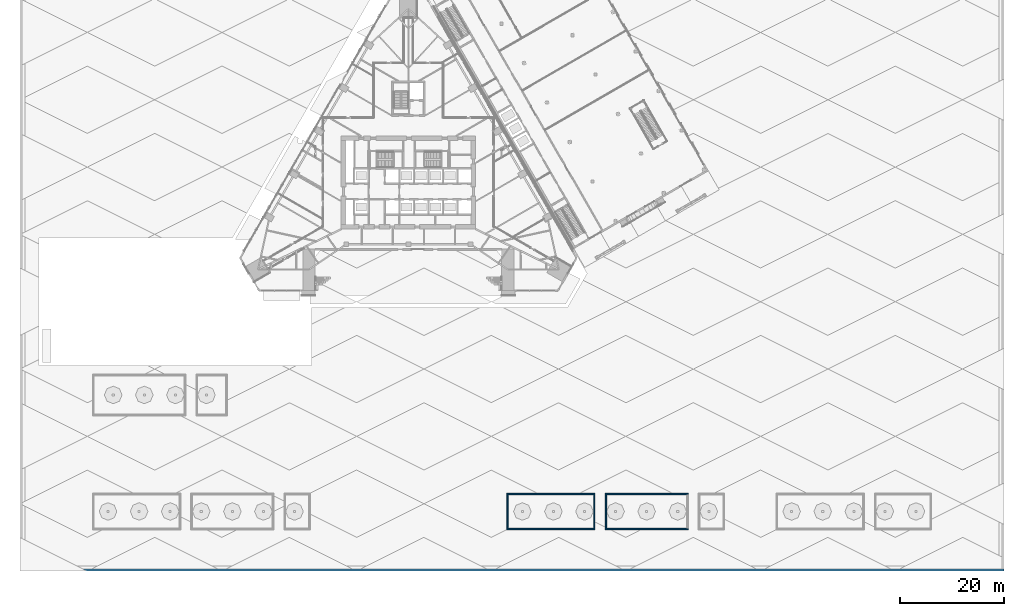
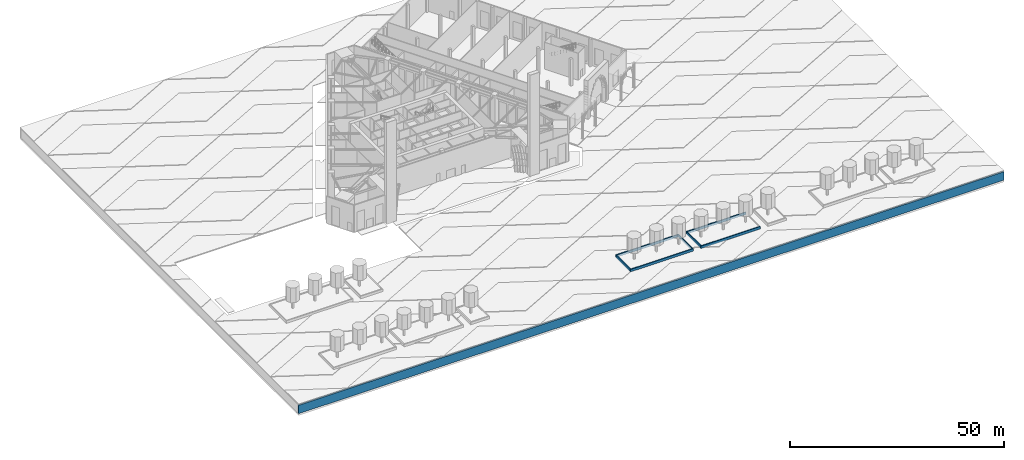
# One storey, part 9 of 34: 8 walls.
"""IFC4 building model written with IfcOpenShell, lengths in metres."""

from ifc_helpers import new_model, si_unit, direction, frame, frame_2d, origin, place, context, subcontext, project, spatial, rectangle, extrude, material, layer, layer_set, type_object, element, save


model = new_model("IFC4")

# Units and contexts
model_context = context("Model", 3, precision=1e-05, world=origin(), true_north=direction((0.0, 1.0)))
body_context = subcontext(model_context, "Body", "Model", "MODEL_VIEW")
ifc_project = project(units=[si_unit("LENGTHUNIT", "METRE"), si_unit("AREAUNIT", "SQUARE_METRE"), si_unit("VOLUMEUNIT", "CUBIC_METRE"), si_unit("PLANEANGLEUNIT", "RADIAN"), si_unit("MASSUNIT", "GRAM", prefix="KILO")], contexts=[model_context])

# Site, building, storey
site_placement = place(None, origin())
site = spatial("IfcSite", under=ifc_project, at=site_placement, CompositionType="ELEMENT")
building_placement = place(site_placement, origin())
building = spatial("IfcBuilding", under=site, at=building_placement, Name="Firuza Gate Tower and Library", CompositionType="ELEMENT")
storey_placement = place(building_placement, origin())
storey = spatial("IfcBuildingStorey", under=building, at=storey_placement, Name="L00", CompositionType="ELEMENT", Elevation=0.0)

# Walls
ifc_material_1 = material(Name="Concrete C30/37", Category="concrete")
ifc_layer_1 = layer(ifc_material_1, 0.25)
ifc_layer_set_1 = layer_set([ifc_layer_1], Name="Planter rim wall 250")
wall_type_1 = type_object("IfcWallType", Name="Planter rim wall 250", PredefinedType="SOLIDWALL", material=ifc_layer_set_1)
for number, where, z_axis, x_axis, name in (
    (1, (94.0, 8.125, -0.14990234375), (0.0, 0.0, 1.0), (1.0, 0.0, 0.0), "Planter rim wall 4"),
    (2, (94.0, 14.875, -0.14990234375), (0.0, 0.0, 1.0), (1.0, 0.0, 0.0), "Planter rim wall 4"),
):
    element("IfcWall", number, at=place(storey_placement, frame(where, z_axis=z_axis, x_axis=x_axis)), inside=storey, type_object=wall_type_1, Name=name, PredefinedType="SOLIDWALL", context=body_context, shape_type="SweptSolid", body=[
        extrude(rectangle(XDim=17.0, YDim=0.25, at=frame_2d((8.5, 0.0))), origin(), (0.0, 0.0, 1.0), 0.699951171875),
    ])
for number, where, z_axis, x_axis, name in (
    (3, (94.125, 8.25, -0.14990234375), (0.0, 0.0, 1.0), (0.0, 1.0, 0.0), "Planter rim wall 4"),
    (4, (110.875, 8.25, -0.14990234375), (0.0, 0.0, 1.0), (0.0, 1.0, 0.0), "Planter rim wall 4"),
):
    element("IfcWall", number, at=place(storey_placement, frame(where, z_axis=z_axis, x_axis=x_axis)), inside=storey, type_object=wall_type_1, Name=name, PredefinedType="SOLIDWALL", context=body_context, shape_type="SweptSolid", body=[
        extrude(rectangle(XDim=6.5, YDim=0.25, at=frame_2d((3.25, 0.0))), origin(), (0.0, 0.0, 1.0), 0.699951171875),
    ])
for number, where, z_axis, x_axis, name in (
    (5, (113.0, 8.125, -0.14990234375), (0.0, 0.0, 1.0), (1.0, 0.0, 0.0), "Planter rim wall 5"),
    (6, (113.0, 14.875, -0.14990234375), (0.0, 0.0, 1.0), (1.0, 0.0, 0.0), "Planter rim wall 5"),
):
    element("IfcWall", number, at=place(storey_placement, frame(where, z_axis=z_axis, x_axis=x_axis)), inside=storey, type_object=wall_type_1, Name=name, PredefinedType="SOLIDWALL", context=body_context, shape_type="SweptSolid", body=[
        extrude(rectangle(XDim=16.0, YDim=0.25, at=frame_2d((8.0, 0.0))), origin(), (0.0, 0.0, 1.0), 0.699951171875),
    ])
wall_1_placement = place(storey_placement, frame((113.125, 8.25, -0.14990234375), z_axis=(0.0, 0.0, 1.0), x_axis=(0.0, 1.0, 0.0)))
element("IfcWall", 7, at=wall_1_placement, inside=storey, type_object=wall_type_1, Name="Planter rim wall 5", PredefinedType="SOLIDWALL", context=body_context, shape_type="SweptSolid", body=[
    extrude(rectangle(XDim=6.5, YDim=0.25, at=frame_2d((3.25, 0.0))), origin(), (0.0, 0.0, 1.0), 0.699951171875),
])
ifc_material_2 = material(Name="Concrete C40/50", Category="concrete")
ifc_layer_2 = layer(ifc_material_2, 0.39990234375)
ifc_layer_set_2 = layer_set([ifc_layer_2], Name="Plaza edge retaining wall 400 C40/50")
wall_type_2 = type_object("IfcWallType", Name="Plaza edge retaining wall 400 C40/50", PredefinedType="SOLIDWALL", material=ifc_layer_set_2)
wall_2_placement = place(storey_placement, frame((0.0, 0.199951171875, -2.75), z_axis=(0.0, 0.0, 1.0), x_axis=(1.0, 0.0, 0.0)))
element("IfcWall", 8, at=wall_2_placement, inside=storey, type_object=wall_type_2, Name="Plaza edge retaining wall", PredefinedType="SOLIDWALL", context=body_context, shape_type="SweptSolid", body=[
    extrude(rectangle(XDim=190.0, YDim=0.39990234375, at=frame_2d((95.0, 0.0))), origin(), (0.0, 0.0, 1.0), 2.39990234375),
])

save(model, "model.ifc")
